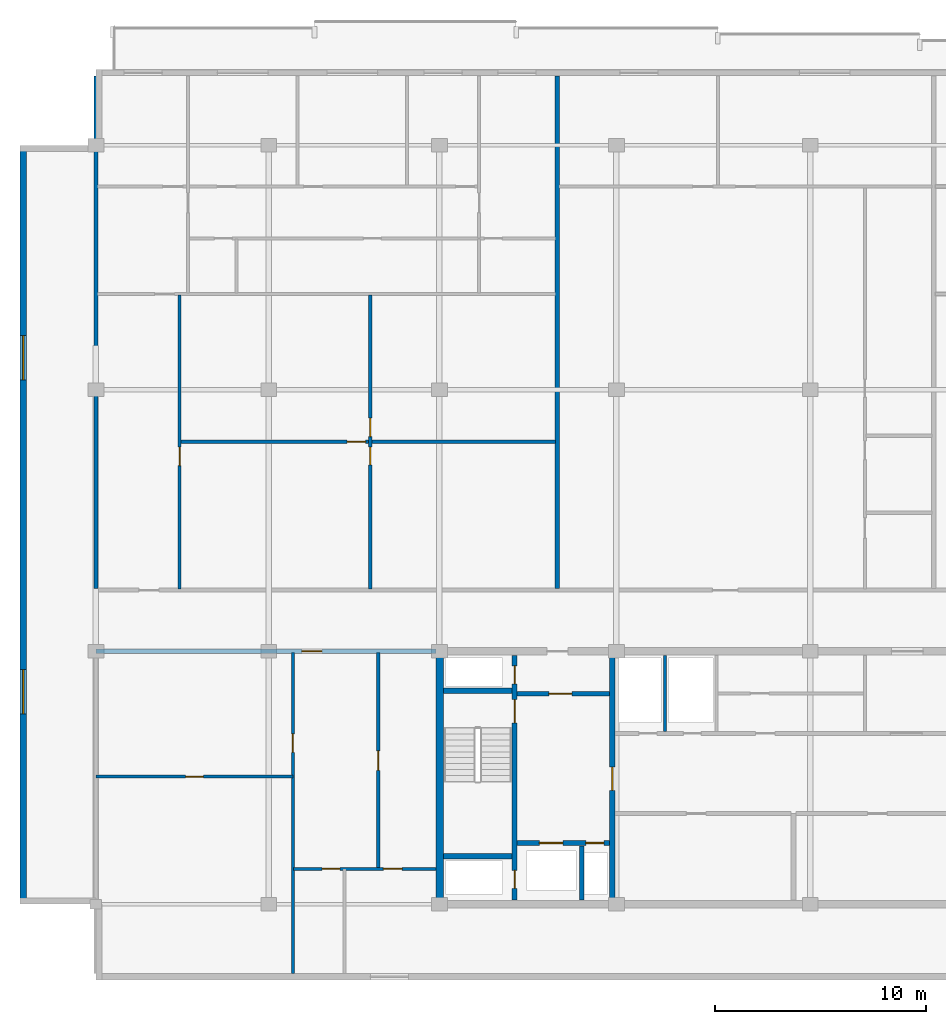
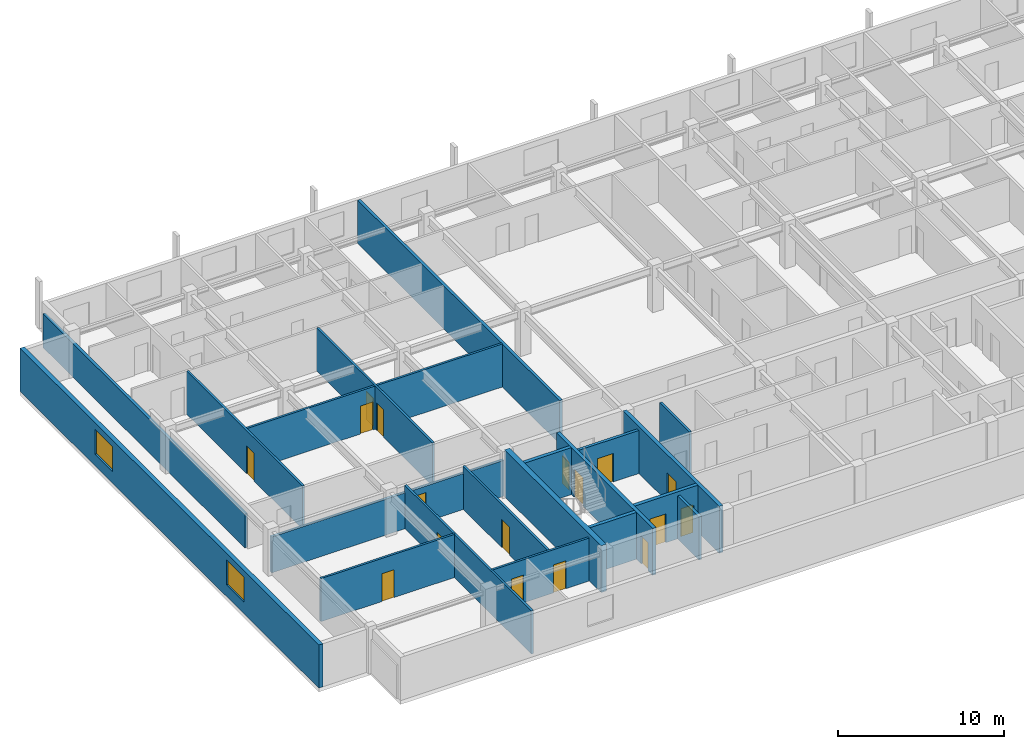
# One storey, part 3 of 10: 20 walls, 17 doors, 2 windows, 19 openings.
"""IFC4 building model written with IfcOpenShell, lengths in metres."""

from ifc_helpers import new_model, si_unit, direction, frame, frame_2d, origin, place, context, subcontext, project, spatial, rectangle, extrude, material, layer, layer_set, type_object, element, fill, save


model = new_model("IFC4")

# Units and contexts
model_context = context("Model", 3, precision=1e-05, world=origin(), true_north=direction((0.0, 1.0)))
body_context = subcontext(model_context, "Body", "Model", "MODEL_VIEW")
ifc_project = project(units=[si_unit("LENGTHUNIT", "METRE"), si_unit("AREAUNIT", "SQUARE_METRE"), si_unit("VOLUMEUNIT", "CUBIC_METRE"), si_unit("PLANEANGLEUNIT", "RADIAN"), si_unit("MASSUNIT", "GRAM", prefix="KILO")], contexts=[model_context])

# Site, building, storey
site_placement = place(None, origin())
site = spatial("IfcSite", under=ifc_project, at=site_placement, CompositionType="ELEMENT")
building_placement = place(site_placement, origin())
building = spatial("IfcBuilding", under=site, at=building_placement, Name="Korimba Cascade Residences", CompositionType="ELEMENT")
storey_placement = place(building_placement, frame((0.0, 0.0, 235.550048828125)))
storey = spatial("IfcBuildingStorey", under=building, at=storey_placement, Name="L68", CompositionType="ELEMENT", Elevation=235.550048828125)

# Wall, openings, windows
ifc_material_1 = material(Name="Precast concrete C40/50", Category="concrete")
ifc_layer_1 = layer(ifc_material_1, 0.300048828125)
ifc_layer_set_1 = layer_set([ifc_layer_1], Name="Precast concrete C40/50")
wall_type_1 = type_object("IfcWallType", Name="EW-STONE-300", PredefinedType="STANDARD", material=ifc_layer_set_1)
wall_1_placement = place(storey_placement, frame((56.35009765625, 91.199951171875, 0.0), z_axis=(0.0, 0.0, 1.0), x_axis=(0.0, -1.0, 0.0)))
wall_1 = element("IfcWall", 1, at=wall_1_placement, inside=storey, type_object=wall_type_1, Name="L68 T1 Perimeter Stone Wall E09", PredefinedType="STANDARD", context=body_context, shape_type="SweptSolid", body=[
    extrude(rectangle(XDim=36.0, YDim=0.300048828125, at=frame_2d((18.0, 0.0))), origin(), (0.0, 0.0, 1.0), 3.169921875),
])
opening_1_placement = place(wall_1_placement, frame((9.030029296875, 0.0, 0.85009765625)))
opening_1 = element("IfcOpeningElement", 2, at=opening_1_placement, cuts=wall_1, Name="Opening W-03", PredefinedType="OPENING", context=body_context, shape_type="SweptSolid", body=[
    extrude(rectangle(XDim=2.10009765625, YDim=1.85009765625, at=frame_2d((1.050048828125, 0.925048828125))), frame((0.0, 0.16015625, 0.0), z_axis=(0.0, -1.0, 0.0), x_axis=(1.0, 0.0, 0.0)), (0.0, 0.0, 1.0), 0.320068359375),
])
opening_2_placement = place(wall_1_placement, frame((24.8701171875, 0.0, 0.85009765625)))
opening_2 = element("IfcOpeningElement", 3, at=opening_2_placement, cuts=wall_1, Name="Opening W-03", PredefinedType="OPENING", context=body_context, shape_type="SweptSolid", body=[
    extrude(rectangle(XDim=2.10009765625, YDim=1.85009765625, at=frame_2d((1.050048828125, 0.925048828125))), frame((0.0, 0.16015625, 0.0), z_axis=(0.0, -1.0, 0.0), x_axis=(1.0, 0.0, 0.0)), (0.0, 0.0, 1.0), 0.320068359375),
])
ifc_material_2 = material(Name="Double-Glazed Aluminium Window", Category="aluminium")
window_type = type_object("IfcWindowType", Name="WIN-CRN-2100", PartitioningType="DOUBLE_PANEL_HORIZONTAL", PredefinedType="WINDOW", material=ifc_material_2)
window_1_placement = place(opening_1_placement, origin())
window_1 = element("IfcWindow", 4, at=window_1_placement, inside=storey, type_object=window_type, Name="L68 T1 End View Window 9.1", OverallHeight=1.85009765625, OverallWidth=2.10009765625, PartitioningType="DOUBLE_PANEL_HORIZONTAL", PredefinedType="WINDOW", context=body_context, shape_type="SweptSolid", body=[
    extrude(rectangle(XDim=2.10009765625, YDim=1.85009765625, at=frame_2d((1.050048828125, 0.925048828125))), frame((0.0, 0.030029296875, 0.0), z_axis=(0.0, -1.0, 0.0), x_axis=(1.0, 0.0, 0.0)), (0.0, 0.0, 1.0), 0.06005859375),
])
fill(opening_1, window_1)
window_2_placement = place(opening_2_placement, origin())
window_2 = element("IfcWindow", 5, at=window_2_placement, inside=storey, type_object=window_type, Name="L68 T1 End View Window 9.2", OverallHeight=1.85009765625, OverallWidth=2.10009765625, PartitioningType="DOUBLE_PANEL_HORIZONTAL", PredefinedType="WINDOW", context=body_context, shape_type="SweptSolid", body=[
    extrude(rectangle(XDim=2.10009765625, YDim=1.85009765625, at=frame_2d((1.050048828125, 0.925048828125))), frame((0.0, 0.030029296875, 0.0), z_axis=(0.0, -1.0, 0.0), x_axis=(1.0, 0.0, 0.0)), (0.0, 0.0, 1.0), 0.06005859375),
])
fill(opening_2, window_2)

# Wall
ifc_material_3 = material(Name="Concrete C65/80", Category="concrete")
ifc_layer_2 = layer(ifc_material_3, 0.35009765625)
ifc_layer_set_2 = layer_set([ifc_layer_2], Name="Concrete C65/80")
wall_type_2 = type_object("IfcWallType", Name="WAL-CORE-350", PredefinedType="SHEAR", material=ifc_layer_set_2)
wall_2_placement = place(storey_placement, frame((76.125, 55.375, 0.0), z_axis=(0.0, 0.0, 1.0), x_axis=(0.0, 1.0, 0.0)))
element("IfcWall", 6, at=wall_2_placement, inside=storey, type_object=wall_type_2, Name="L68 Core Shear Wall CW-L68-T1-W", PredefinedType="SHEAR", context=body_context, shape_type="SweptSolid", body=[
    extrude(rectangle(XDim=11.64990234375, YDim=0.35009765625, at=frame_2d((5.824951171875, 0.0))), origin(), (0.0, 0.0, 1.0), 3.449951171875),
])

# Wall, opening, door
ifc_layer_3 = layer(ifc_material_1, 0.199951171875)
ifc_layer_set_3 = layer_set([ifc_layer_3], Name="Precast concrete C40/50")
wall_type_3 = type_object("IfcWallType", Name="WAL-IT-200", PredefinedType="PARTITIONING", material=ifc_layer_set_3)
wall_3_placement = place(storey_placement, frame((59.800048828125, 67.199951171875, 0.0), z_axis=(0.0, 0.0, 1.0), x_axis=(1.0, 0.0, 0.0)))
wall_3 = element("IfcWall", 7, at=wall_3_placement, inside=storey, type_object=wall_type_3, Name="L68 Partition Wall WAL-L68-T1-FW-N", PredefinedType="PARTITIONING", context=body_context, shape_type="SweptSolid", body=[
    extrude(rectangle(XDim=16.14990234375, YDim=0.199951171875, at=frame_2d((8.074951171875, 0.0))), origin(), (0.0, 0.0, 1.0), 2.63330078125),
])
opening_3_placement = place(wall_3_placement, frame((9.7724609375, 0.0, 0.0)))
opening_3 = element("IfcOpeningElement", 8, at=opening_3_placement, cuts=wall_3, Name="Opening D-UN1", PredefinedType="OPENING", context=body_context, shape_type="SweptSolid", body=[
    extrude(rectangle(XDim=0.949951171875, YDim=2.14990234375, at=frame_2d((0.47509765625, 1.074951171875))), frame((0.0, 0.10986328125, 0.0), z_axis=(0.0, -1.0, 0.0), x_axis=(1.0, 0.0, 0.0)), (0.0, 0.0, 1.0), 0.219970703125),
])
ifc_material_4 = material(Name="Fire-Rated Hardwood Apartment Entrance Door", Category="wood")
door_type_1 = type_object("IfcDoorType", Name="DR-FD60-950", OperationType="NOTDEFINED", PredefinedType="DOOR", material=ifc_material_4)
door_1_placement = place(opening_3_placement, origin())
door_1 = element("IfcDoor", 9, at=door_1_placement, inside=storey, type_object=door_type_1, Name="L68-T1-FW Entrance Door", OperationType="SINGLE_SWING_RIGHT", OverallHeight=2.14990234375, OverallWidth=0.949951171875, PredefinedType="DOOR", context=body_context, shape_type="SweptSolid", body=[
    extrude(rectangle(XDim=0.949951171875, YDim=2.14990234375, at=frame_2d((0.47509765625, 1.074951171875))), frame((0.0, 0.02490234375, 0.0), z_axis=(0.0, -1.0, 0.0), x_axis=(1.0, 0.0, 0.0)), (0.0, 0.0, 1.0), 0.050048828125),
])
fill(opening_3, door_1)

# Walls
wall_4_placement = place(storey_placement, frame((59.800048828125, 70.179931640625, 0.0), z_axis=(0.0, 0.0, 1.0), x_axis=(0.0, 1.0, 0.0)))
element("IfcWall", 10, at=wall_4_placement, inside=storey, type_object=wall_type_3, Name="L68 Partition Wall WAL-L68-T1-BNDWL", PredefinedType="PARTITIONING", context=body_context, shape_type="SweptSolid", body=[
    extrude(rectangle(XDim=24.320068359375, YDim=0.199951171875, at=frame_2d((12.16015625, 0.0))), origin(), (0.0, 0.0, 1.0), 2.47705078125),
])
wall_5_placement = place(storey_placement, frame((81.687255859375, 70.179931640625, 0.0), z_axis=(0.0, 0.0, 1.0), x_axis=(0.0, 1.0, 0.0)))
element("IfcWall", 11, at=wall_5_placement, inside=storey, type_object=wall_type_3, Name="L68 Partition Wall WAL-L68-T1-DEM-1", PredefinedType="PARTITIONING", context=body_context, shape_type="SweptSolid", body=[
    extrude(rectangle(XDim=24.320068359375, YDim=0.199951171875, at=frame_2d((12.16015625, 0.0))), origin(), (0.0, 0.0, 1.0), 3.169921875),
])
ifc_material_5 = material(Name="Insulated Acoustic Stud Partition", Category="gypsum")
ifc_layer_4 = layer(ifc_material_5, 0.14990234375)
ifc_layer_set_4 = layer_set([ifc_layer_4], Name="Insulated Acoustic Stud Partition")
wall_type_4 = type_object("IfcWallType", Name="WAL-PART-150", PredefinedType="PARTITIONING", material=ifc_layer_set_4)
wall_6_placement = place(storey_placement, frame((86.800048828125, 63.39990234375, 0.0), z_axis=(0.0, 0.0, 1.0), x_axis=(0.0, 1.0, 0.0)))
element("IfcWall", 12, at=wall_6_placement, inside=storey, type_object=wall_type_4, Name="L68 Partition Wall CW-L68-T1-ERDIV", PredefinedType="PARTITIONING", context=body_context, shape_type="SweptSolid", body=[
    extrude(rectangle(XDim=3.60009765625, YDim=0.14990234375, at=frame_2d((1.800048828125, 0.0))), origin(), (0.0, 0.0, 1.0), 3.169921875),
])

# Wall, opening, door
wall_7_placement = place(storey_placement, frame((59.800048828125, 61.25, 0.0), z_axis=(0.0, 0.0, 1.0), x_axis=(1.0, 0.0, 0.0)))
wall_7 = element("IfcWall", 13, at=wall_7_placement, inside=storey, type_object=wall_type_4, Name="L68 Partition Wall WAL-L68-T1-FW-STH", PredefinedType="PARTITIONING", context=body_context, shape_type="SweptSolid", body=[
    extrude(rectangle(XDim=9.349853515625, YDim=0.14990234375, at=frame_2d((4.6748046875, 0.0))), origin(), (0.0, 0.0, 1.0), 3.169921875),
])
opening_4_placement = place(wall_7_placement, frame((4.2548828125, 0.0, 0.0)))
opening_4 = element("IfcOpeningElement", 14, at=opening_4_placement, cuts=wall_7, Name="Opening D-BT1", PredefinedType="OPENING", context=body_context, shape_type="SweptSolid", body=[
    extrude(rectangle(XDim=0.840087890625, YDim=2.0400390625, at=frame_2d((0.419921875, 1.02001953125))), frame((0.0, 0.0849609375, 0.0), z_axis=(0.0, -1.0, 0.0), x_axis=(1.0, 0.0, 0.0)), (0.0, 0.0, 1.0), 0.169921875),
])
ifc_material_6 = material(Name="Moisture-Resistant Bathroom Timber Door", Category="wood")
door_type_2 = type_object("IfcDoorType", Name="DR-INT-850", OperationType="NOTDEFINED", PredefinedType="DOOR", material=ifc_material_6)
door_2_placement = place(opening_4_placement, origin())
door_2 = element("IfcDoor", 15, at=door_2_placement, inside=storey, type_object=door_type_2, Name="L68-T1-FW Dressing Store Door", OperationType="SINGLE_SWING_LEFT", OverallHeight=2.0400390625, OverallWidth=0.840087890625, PredefinedType="DOOR", context=body_context, shape_type="SweptSolid", body=[
    extrude(rectangle(XDim=0.840087890625, YDim=2.0400390625, at=frame_2d((0.419921875, 1.02001953125))), frame((0.0, 0.02490234375, 0.0), z_axis=(0.0, -1.0, 0.0), x_axis=(1.0, 0.0, 0.0)), (0.0, 0.0, 1.0), 0.050048828125),
])
fill(opening_4, door_2)

wall_8_placement = place(storey_placement, frame((69.14990234375, 51.89990234375, 0.0), z_axis=(0.0, 0.0, 1.0), x_axis=(0.0, 1.0, 0.0)))
wall_8 = element("IfcWall", 16, at=wall_8_placement, inside=storey, type_object=wall_type_4, Name="L68 Partition Wall WAL-L68-T1-FW-STV", PredefinedType="PARTITIONING", context=body_context, shape_type="SweptSolid", body=[
    extrude(rectangle(XDim=15.25, YDim=0.14990234375, at=frame_2d((7.625, 0.0))), origin(), (0.0, 0.0, 1.0), 3.169921875),
])
opening_5_placement = place(wall_8_placement, frame((10.5, 0.0, 0.0)))
opening_5 = element("IfcOpeningElement", 17, at=opening_5_placement, cuts=wall_8, Name="Opening D-IN2", PredefinedType="OPENING", context=body_context, shape_type="SweptSolid", body=[
    extrude(rectangle(XDim=0.8798828125, YDim=2.06005859375, at=frame_2d((0.43994140625, 1.030029296875))), frame((0.0, 0.0849609375, 0.0), z_axis=(0.0, -1.0, 0.0), x_axis=(1.0, 0.0, 0.0)), (0.0, 0.0, 1.0), 0.169921875),
])
ifc_material_7 = material(Name="Acoustic Timber Bedroom Door", Category="wood")
door_type_3 = type_object("IfcDoorType", Name="DR-INT-880", OperationType="NOTDEFINED", PredefinedType="DOOR", material=ifc_material_7)
door_3_placement = place(opening_5_placement, origin())
door_3 = element("IfcDoor", 18, at=door_3_placement, inside=storey, type_object=door_type_3, Name="L68-T1-FW Study Door", OperationType="SINGLE_SWING_RIGHT", OverallHeight=2.06005859375, OverallWidth=0.8798828125, PredefinedType="DOOR", context=body_context, shape_type="SweptSolid", body=[
    extrude(rectangle(XDim=0.8798828125, YDim=2.06005859375, at=frame_2d((0.43994140625, 1.030029296875))), frame((0.0, 0.02490234375, 0.0), z_axis=(0.0, -1.0, 0.0), x_axis=(1.0, 0.0, 0.0)), (0.0, 0.0, 1.0), 0.050048828125),
])
fill(opening_5, door_3)

wall_9_placement = place(storey_placement, frame((73.199951171875, 56.8701171875, 0.0), z_axis=(0.0, 0.0, 1.0), x_axis=(0.0, 1.0, 0.0)))
wall_9 = element("IfcWall", 19, at=wall_9_placement, inside=storey, type_object=wall_type_4, Name="L68 Partition Wall WAL-L68-T1-FW-VN", PredefinedType="PARTITIONING", context=body_context, shape_type="SweptSolid", body=[
    extrude(rectangle(XDim=10.27978515625, YDim=0.14990234375, at=frame_2d((5.139892578125, 0.0))), origin(), (0.0, 0.0, 1.0), 3.169921875),
])
opening_6_placement = place(wall_9_placement, frame((4.679931640625, 0.0, 0.0)))
opening_6 = element("IfcOpeningElement", 20, at=opening_6_placement, cuts=wall_9, Name="Opening D-IN1", PredefinedType="OPENING", context=body_context, shape_type="SweptSolid", body=[
    extrude(rectangle(XDim=0.919921875, YDim=2.080078125, at=frame_2d((0.4599609375, 1.0400390625))), frame((0.0, 0.0849609375, 0.0), z_axis=(0.0, -1.0, 0.0), x_axis=(1.0, 0.0, 0.0)), (0.0, 0.0, 1.0), 0.169921875),
])
ifc_material_8 = material(Name="Acoustic Timber Living Door", Category="wood")
door_type_4 = type_object("IfcDoorType", Name="DR-INT-920", OperationType="NOTDEFINED", PredefinedType="DOOR", material=ifc_material_8)
door_4_placement = place(opening_6_placement, origin())
door_4 = element("IfcDoor", 21, at=door_4_placement, inside=storey, type_object=door_type_4, Name="L68-T1-FW Living Door", OperationType="SINGLE_SWING_LEFT", OverallHeight=2.080078125, OverallWidth=0.919921875, PredefinedType="DOOR", context=body_context, shape_type="SweptSolid", body=[
    extrude(rectangle(XDim=0.919921875, YDim=2.080078125, at=frame_2d((0.4599609375, 1.0400390625))), frame((0.0, 0.02490234375, 0.0), z_axis=(0.0, -1.0, 0.0), x_axis=(1.0, 0.0, 0.0)), (0.0, 0.0, 1.0), 0.050048828125),
])
fill(opening_6, door_4)

# Wall, openings, doors
wall_10_placement = place(storey_placement, frame((69.169921875, 56.8701171875, 0.0), z_axis=(0.0, 0.0, 1.0), x_axis=(1.0, 0.0, 0.0)))
wall_10 = element("IfcWall", 22, at=wall_10_placement, inside=storey, type_object=wall_type_4, Name="L68 Partition Wall WAL-L68-T1-FW-H", PredefinedType="PARTITIONING", context=body_context, shape_type="SweptSolid", body=[
    extrude(rectangle(XDim=6.760009765625, YDim=0.14990234375, at=frame_2d((3.3798828125, 0.0))), origin(), (0.0, 0.0, 1.0), 3.169921875),
])
opening_7_placement = place(wall_10_placement, frame((1.3623046875, 0.0, 0.0)))
opening_7 = element("IfcOpeningElement", 23, at=opening_7_placement, cuts=wall_10, Name="Opening D-BT1", PredefinedType="OPENING", context=body_context, shape_type="SweptSolid", body=[
    extrude(rectangle(XDim=0.840087890625, YDim=2.0400390625, at=frame_2d((0.419921875, 1.02001953125))), frame((0.0, 0.0849609375, 0.0), z_axis=(0.0, -1.0, 0.0), x_axis=(1.0, 0.0, 0.0)), (0.0, 0.0, 1.0), 0.169921875),
])
opening_8_placement = place(wall_10_placement, frame((4.276611328125, 0.0, 0.0)))
opening_8 = element("IfcOpeningElement", 24, at=opening_8_placement, cuts=wall_10, Name="Opening D-IN2", PredefinedType="OPENING", context=body_context, shape_type="SweptSolid", body=[
    extrude(rectangle(XDim=0.8798828125, YDim=2.06005859375, at=frame_2d((0.43994140625, 1.030029296875))), frame((0.0, 0.0849609375, 0.0), z_axis=(0.0, -1.0, 0.0), x_axis=(1.0, 0.0, 0.0)), (0.0, 0.0, 1.0), 0.169921875),
])
door_5_placement = place(opening_7_placement, origin())
door_5 = element("IfcDoor", 25, at=door_5_placement, inside=storey, type_object=door_type_2, Name="L68-T1-FW Bathroom Door", OperationType="SINGLE_SWING_RIGHT", OverallHeight=2.0400390625, OverallWidth=0.840087890625, PredefinedType="DOOR", context=body_context, shape_type="SweptSolid", body=[
    extrude(rectangle(XDim=0.840087890625, YDim=2.0400390625, at=frame_2d((0.419921875, 1.02001953125))), frame((0.0, 0.02490234375, 0.0), z_axis=(0.0, -1.0, 0.0), x_axis=(1.0, 0.0, 0.0)), (0.0, 0.0, 1.0), 0.050048828125),
])
fill(opening_7, door_5)
door_6_placement = place(opening_8_placement, origin())
door_6 = element("IfcDoor", 26, at=door_6_placement, inside=storey, type_object=door_type_3, Name="L68-T1-FW Bedroom Door", OperationType="SINGLE_SWING_LEFT", OverallHeight=2.06005859375, OverallWidth=0.8798828125, PredefinedType="DOOR", context=body_context, shape_type="SweptSolid", body=[
    extrude(rectangle(XDim=0.8798828125, YDim=2.06005859375, at=frame_2d((0.43994140625, 1.030029296875))), frame((0.0, 0.02490234375, 0.0), z_axis=(0.0, -1.0, 0.0), x_axis=(1.0, 0.0, 0.0)), (0.0, 0.0, 1.0), 0.050048828125),
])
fill(opening_8, door_6)

wall_11_placement = place(storey_placement, frame((72.818603515625, 70.159912109375, 0.0), z_axis=(0.0, 0.0, 1.0), x_axis=(0.0, 1.0, 0.0)))
wall_11 = element("IfcWall", 27, at=wall_11_placement, inside=storey, type_object=wall_type_4, Name="L68 Partition Wall WAL-L68-T1-U01-FMV", PredefinedType="PARTITIONING", context=body_context, shape_type="SweptSolid", body=[
    extrude(rectangle(XDim=13.9501953125, YDim=0.14990234375, at=frame_2d((6.97509765625, 0.0))), origin(), (0.0, 0.0, 1.0), 3.169921875),
])
opening_9_placement = place(wall_11_placement, frame((5.885009765625, 0.0, 0.0)))
opening_9 = element("IfcOpeningElement", 28, at=opening_9_placement, cuts=wall_11, Name="Opening D-BT1", PredefinedType="OPENING", context=body_context, shape_type="SweptSolid", body=[
    extrude(rectangle(XDim=0.840087890625, YDim=2.0400390625, at=frame_2d((0.419921875, 1.02001953125))), frame((0.0, 0.0849609375, 0.0), z_axis=(0.0, -1.0, 0.0), x_axis=(1.0, 0.0, 0.0)), (0.0, 0.0, 1.0), 0.169921875),
])
opening_10_placement = place(wall_11_placement, frame((7.22509765625, 0.0, 0.0)))
opening_10 = element("IfcOpeningElement", 29, at=opening_10_placement, cuts=wall_11, Name="Opening D-IN2", PredefinedType="OPENING", context=body_context, shape_type="SweptSolid", body=[
    extrude(rectangle(XDim=0.8798828125, YDim=2.06005859375, at=frame_2d((0.43994140625, 1.030029296875))), frame((0.0, 0.0849609375, 0.0), z_axis=(0.0, -1.0, 0.0), x_axis=(1.0, 0.0, 0.0)), (0.0, 0.0, 1.0), 0.169921875),
])
door_7_placement = place(opening_9_placement, origin())
door_7 = element("IfcDoor", 30, at=door_7_placement, inside=storey, type_object=door_type_2, Name="L68-T1-U01 Wardrobe Door", OperationType="SINGLE_SWING_LEFT", OverallHeight=2.0400390625, OverallWidth=0.840087890625, PredefinedType="DOOR", context=body_context, shape_type="SweptSolid", body=[
    extrude(rectangle(XDim=0.840087890625, YDim=2.0400390625, at=frame_2d((0.419921875, 1.02001953125))), frame((0.0, 0.02490234375, 0.0), z_axis=(0.0, -1.0, 0.0), x_axis=(1.0, 0.0, 0.0)), (0.0, 0.0, 1.0), 0.050048828125),
])
fill(opening_9, door_7)
door_8_placement = place(opening_10_placement, origin())
door_8 = element("IfcDoor", 31, at=door_8_placement, inside=storey, type_object=door_type_3, Name="L68-T1-U01 Music Lounge Door", OperationType="SINGLE_SWING_RIGHT", OverallHeight=2.06005859375, OverallWidth=0.8798828125, PredefinedType="DOOR", context=body_context, shape_type="SweptSolid", body=[
    extrude(rectangle(XDim=0.8798828125, YDim=2.06005859375, at=frame_2d((0.43994140625, 1.030029296875))), frame((0.0, 0.02490234375, 0.0), z_axis=(0.0, -1.0, 0.0), x_axis=(1.0, 0.0, 0.0)), (0.0, 0.0, 1.0), 0.050048828125),
])
fill(opening_10, door_8)

# Wall, opening, door
wall_12_placement = place(storey_placement, frame((63.830078125, 77.135009765625, 0.0), z_axis=(0.0, 0.0, 1.0), x_axis=(1.0, 0.0, 0.0)))
wall_12 = element("IfcWall", 32, at=wall_12_placement, inside=storey, type_object=wall_type_4, Name="L68 Partition Wall WAL-L68-T1-U01-FMH", PredefinedType="PARTITIONING", context=body_context, shape_type="SweptSolid", body=[
    extrude(rectangle(XDim=17.77734375, YDim=0.14990234375, at=frame_2d((8.888671875, 0.0))), origin(), (0.0, 0.0, 1.0), 3.169921875),
])
opening_11_placement = place(wall_12_placement, frame((7.888671875, 0.0, 0.0)))
opening_11 = element("IfcOpeningElement", 33, at=opening_11_placement, cuts=wall_12, Name="Opening D-IN2", PredefinedType="OPENING", context=body_context, shape_type="SweptSolid", body=[
    extrude(rectangle(XDim=0.8798828125, YDim=2.06005859375, at=frame_2d((0.43994140625, 1.030029296875))), frame((0.0, 0.0849609375, 0.0), z_axis=(0.0, -1.0, 0.0), x_axis=(1.0, 0.0, 0.0)), (0.0, 0.0, 1.0), 0.169921875),
])
door_9_placement = place(opening_11_placement, origin())
door_9 = element("IfcDoor", 34, at=door_9_placement, inside=storey, type_object=door_type_3, Name="L68-T1-U01 Library Salon Door", OperationType="SINGLE_SWING_LEFT", OverallHeight=2.06005859375, OverallWidth=0.8798828125, PredefinedType="DOOR", context=body_context, shape_type="SweptSolid", body=[
    extrude(rectangle(XDim=0.8798828125, YDim=2.06005859375, at=frame_2d((0.43994140625, 1.030029296875))), frame((0.0, 0.02490234375, 0.0), z_axis=(0.0, -1.0, 0.0), x_axis=(1.0, 0.0, 0.0)), (0.0, 0.0, 1.0), 0.050048828125),
])
fill(opening_11, door_9)

wall_13_placement = place(storey_placement, frame((63.77001953125, 70.159912109375, 0.0), z_axis=(0.0, 0.0, 1.0), x_axis=(0.0, 1.0, 0.0)))
wall_13 = element("IfcWall", 35, at=wall_13_placement, inside=storey, type_object=wall_type_4, Name="L68 Partition Wall WAL-L68-T1-U01-FV", PredefinedType="PARTITIONING", context=body_context, shape_type="SweptSolid", body=[
    extrude(rectangle(XDim=13.9501953125, YDim=0.14990234375, at=frame_2d((6.97509765625, 0.0))), origin(), (0.0, 0.0, 1.0), 3.169921875),
])
opening_12_placement = place(wall_13_placement, frame((5.844970703125, 0.0, 0.0)))
opening_12 = element("IfcOpeningElement", 36, at=opening_12_placement, cuts=wall_13, Name="Opening D-IN2", PredefinedType="OPENING", context=body_context, shape_type="SweptSolid", body=[
    extrude(rectangle(XDim=0.8798828125, YDim=2.06005859375, at=frame_2d((0.43994140625, 1.030029296875))), frame((0.0, 0.0849609375, 0.0), z_axis=(0.0, -1.0, 0.0), x_axis=(1.0, 0.0, 0.0)), (0.0, 0.0, 1.0), 0.169921875),
])
door_10_placement = place(opening_12_placement, origin())
door_10 = element("IfcDoor", 37, at=door_10_placement, inside=storey, type_object=door_type_3, Name="L68-T1-U01 Media Lounge Door", OperationType="SINGLE_SWING_RIGHT", OverallHeight=2.06005859375, OverallWidth=0.8798828125, PredefinedType="DOOR", context=body_context, shape_type="SweptSolid", body=[
    extrude(rectangle(XDim=0.8798828125, YDim=2.06005859375, at=frame_2d((0.43994140625, 1.030029296875))), frame((0.0, 0.02490234375, 0.0), z_axis=(0.0, -1.0, 0.0), x_axis=(1.0, 0.0, 0.0)), (0.0, 0.0, 1.0), 0.050048828125),
])
fill(opening_12, door_10)

# Wall
ifc_material_9 = material(Name="Concrete C40/50", Category="concrete")
ifc_layer_5 = layer(ifc_material_9, 0.199951171875)
ifc_layer_set_5 = layer_set([ifc_layer_5], Name="Concrete C40/50")
wall_type_5 = type_object("IfcWallType", Name="WAL-PART-200", PredefinedType="PARTITIONING", material=ifc_layer_set_5)
wall_14_placement = place(storey_placement, frame((82.85009765625, 55.39990234375, 0.0), z_axis=(0.0, 0.0, 1.0), x_axis=(0.0, 1.0, 0.0)))
element("IfcWall", 38, at=wall_14_placement, inside=storey, type_object=wall_type_5, Name="L68 Partition Wall CW-L68-T1-FFLDIV", PredefinedType="PARTITIONING", context=body_context, shape_type="SweptSolid", body=[
    extrude(rectangle(XDim=2.56005859375, YDim=0.199951171875, at=frame_2d((1.280029296875, 0.0))), origin(), (0.0, 0.0, 1.0), 3.169921875),
])

# Wall, opening, door
wall_15_placement = place(storey_placement, frame((79.7900390625, 65.179931640625, 0.0), z_axis=(0.0, 0.0, 1.0), x_axis=(1.0, 0.0, 0.0)))
wall_15 = element("IfcWall", 39, at=wall_15_placement, inside=storey, type_object=wall_type_5, Name="L68 Partition Wall CW-L68-T1-FFLN", PredefinedType="PARTITIONING", context=body_context, shape_type="SweptSolid", body=[
    extrude(rectangle(XDim=4.389892578125, YDim=0.199951171875, at=frame_2d((2.19482421875, 0.0))), origin(), (0.0, 0.0, 1.0), 3.169921875),
])
opening_13_placement = place(wall_15_placement, frame((1.5, 0.0, 0.0)))
opening_13 = element("IfcOpeningElement", 40, at=opening_13_placement, cuts=wall_15, Name="Opening D-FD1", PredefinedType="OPENING", context=body_context, shape_type="SweptSolid", body=[
    extrude(rectangle(XDim=1.10009765625, YDim=2.10009765625, at=frame_2d((0.550048828125, 1.050048828125))), frame((0.0, 0.10986328125, 0.0), z_axis=(0.0, -1.0, 0.0), x_axis=(1.0, 0.0, 0.0)), (0.0, 0.0, 1.0), 0.219970703125),
])
ifc_material_10 = material(Name="Fire-Rated Steel Core Door", Category="steel")
door_type_5 = type_object("IfcDoorType", Name="DR-FD120-1100", OperationType="NOTDEFINED", PredefinedType="DOOR", material=ifc_material_10)
door_11_placement = place(opening_13_placement, origin())
door_11 = element("IfcDoor", 41, at=door_11_placement, inside=storey, type_object=door_type_5, Name="L68 West Firefighting Lobby Door", OperationType="SINGLE_SWING_RIGHT", OverallHeight=2.10009765625, OverallWidth=1.10009765625, PredefinedType="DOOR", context=body_context, shape_type="SweptSolid", body=[
    extrude(rectangle(XDim=1.10009765625, YDim=2.10009765625, at=frame_2d((0.550048828125, 1.050048828125))), frame((0.0, 0.02490234375, 0.0), z_axis=(0.0, -1.0, 0.0), x_axis=(1.0, 0.0, 0.0)), (0.0, 0.0, 1.0), 0.050048828125),
])
fill(opening_13, door_11)

# Wall, openings, doors
ifc_material_11 = material(Name="Concrete C50/60", Category="concrete")
ifc_layer_6 = layer(ifc_material_11, 0.25)
ifc_layer_set_6 = layer_set([ifc_layer_6], Name="Concrete C50/60")
wall_type_6 = type_object("IfcWallType", Name="WAL-SHAFT-250", PredefinedType="SHEAR", material=ifc_layer_set_6)
wall_16_placement = place(storey_placement, frame((79.6650390625, 55.39990234375, 0.0), z_axis=(0.0, 0.0, 1.0), x_axis=(0.0, 1.0, 0.0)))
wall_16 = element("IfcWall", 42, at=wall_16_placement, inside=storey, type_object=wall_type_6, Name="L68 Core Shear Wall CW-L68-T1-STW1E", PredefinedType="SHEAR", context=body_context, shape_type="SweptSolid", body=[
    extrude(rectangle(XDim=11.60009765625, YDim=0.25, at=frame_2d((5.800048828125, 0.0))), origin(), (0.0, 0.0, 1.0), 3.449951171875),
])
opening_14_placement = place(wall_16_placement, frame((0.550048828125, 0.0, 0.0)))
opening_14 = element("IfcOpeningElement", 43, at=opening_14_placement, cuts=wall_16, Name="Opening D-RS1", PredefinedType="OPENING", context=body_context, shape_type="SweptSolid", body=[
    extrude(rectangle(XDim=0.85009765625, YDim=2.050048828125, at=frame_2d((0.425048828125, 1.02490234375))), frame((0.0, 0.135009765625, 0.0), z_axis=(0.0, -1.0, 0.0), x_axis=(1.0, 0.0, 0.0)), (0.0, 0.0, 1.0), 0.27001953125),
])
opening_15_placement = place(wall_16_placement, frame((8.39990234375, 0.0, 0.0)))
opening_15 = element("IfcOpeningElement", 44, at=opening_15_placement, cuts=wall_16, Name="Opening D-FD1", PredefinedType="OPENING", context=body_context, shape_type="SweptSolid", body=[
    extrude(rectangle(XDim=1.10009765625, YDim=2.10009765625, at=frame_2d((0.550048828125, 1.050048828125))), frame((0.0, 0.135009765625, 0.0), z_axis=(0.0, -1.0, 0.0), x_axis=(1.0, 0.0, 0.0)), (0.0, 0.0, 1.0), 0.27001953125),
])
opening_16_placement = place(wall_16_placement, frame((10.25, 0.0, 0.0)))
opening_16 = element("IfcOpeningElement", 45, at=opening_16_placement, cuts=wall_16, Name="Opening D-RS1", PredefinedType="OPENING", context=body_context, shape_type="SweptSolid", body=[
    extrude(rectangle(XDim=0.85009765625, YDim=2.050048828125, at=frame_2d((0.425048828125, 1.02490234375))), frame((0.0, 0.135009765625, 0.0), z_axis=(0.0, -1.0, 0.0), x_axis=(1.0, 0.0, 0.0)), (0.0, 0.0, 1.0), 0.27001953125),
])
door_12_placement = place(opening_15_placement, origin())
door_12 = element("IfcDoor", 46, at=door_12_placement, inside=storey, type_object=door_type_5, Name="L68 Fire Stair ST-W1 Door", OperationType="SINGLE_SWING_LEFT", OverallHeight=2.10009765625, OverallWidth=1.10009765625, PredefinedType="DOOR", context=body_context, shape_type="SweptSolid", body=[
    extrude(rectangle(XDim=1.10009765625, YDim=2.10009765625, at=frame_2d((0.550048828125, 1.050048828125))), frame((0.0, 0.02490234375, 0.0), z_axis=(0.0, -1.0, 0.0), x_axis=(1.0, 0.0, 0.0)), (0.0, 0.0, 1.0), 0.050048828125),
])
fill(opening_15, door_12)
ifc_material_12 = material(Name="Fire-Rated Steel Riser Access Door", Category="steel")
door_type_6 = type_object("IfcDoorType", Name="DR-FD60-850", OperationType="NOTDEFINED", PredefinedType="DOOR", material=ifc_material_12)
door_13_placement = place(opening_14_placement, origin())
door_13 = element("IfcDoor", 47, at=door_13_placement, inside=storey, type_object=door_type_6, Name="L68 Smoke Riser Access Door", OperationType="SINGLE_SWING_RIGHT", OverallHeight=2.050048828125, OverallWidth=0.85009765625, PredefinedType="DOOR", context=body_context, shape_type="SweptSolid", body=[
    extrude(rectangle(XDim=0.85009765625, YDim=2.050048828125, at=frame_2d((0.425048828125, 1.02490234375))), frame((0.0, 0.02490234375, 0.0), z_axis=(0.0, -1.0, 0.0), x_axis=(1.0, 0.0, 0.0)), (0.0, 0.0, 1.0), 0.050048828125),
])
fill(opening_14, door_13)
door_14_placement = place(opening_16_placement, origin())
door_14 = element("IfcDoor", 48, at=door_14_placement, inside=storey, type_object=door_type_6, Name="L68 Hydrant Riser Access Door", OperationType="SINGLE_SWING_RIGHT", OverallHeight=2.050048828125, OverallWidth=0.85009765625, PredefinedType="DOOR", context=body_context, shape_type="SweptSolid", body=[
    extrude(rectangle(XDim=0.85009765625, YDim=2.050048828125, at=frame_2d((0.425048828125, 1.02490234375))), frame((0.0, 0.02490234375, 0.0), z_axis=(0.0, -1.0, 0.0), x_axis=(1.0, 0.0, 0.0)), (0.0, 0.0, 1.0), 0.050048828125),
])
fill(opening_16, door_14)

# Walls
for number, where, z_axis, x_axis, name in (
    (49, (76.300048828125, 57.47509765625, 0.0), (0.0, 0.0, 1.0), (1.0, 0.0, 0.0), "L68 Core Shear Wall CW-L68-T1-STW1S"),
    (50, (76.300048828125, 65.324951171875, 0.0), (0.0, 0.0, 1.0), (1.0, 0.0, 0.0), "L68 Core Shear Wall CW-L68-T1-STW1N"),
):
    element("IfcWall", number, at=place(storey_placement, frame(where, z_axis=z_axis, x_axis=x_axis)), inside=storey, type_object=wall_type_6, Name=name, PredefinedType="SHEAR", context=body_context, shape_type="SweptSolid", body=[
        extrude(rectangle(XDim=3.239990234375, YDim=0.25, at=frame_2d((1.6201171875, 0.0))), origin(), (0.0, 0.0, 1.0), 3.449951171875),
    ])

# Wall, openings, doors
wall_17_placement = place(storey_placement, frame((79.7900390625, 58.10009765625, 0.0), z_axis=(0.0, 0.0, 1.0), x_axis=(1.0, 0.0, 0.0)))
wall_17 = element("IfcWall", 51, at=wall_17_placement, inside=storey, type_object=wall_type_6, Name="L68 Core Shear Wall CW-L68-T1-FFLS", PredefinedType="SHEAR", context=body_context, shape_type="SweptSolid", body=[
    extrude(rectangle(XDim=4.389892578125, YDim=0.25, at=frame_2d((2.19482421875, 0.0))), origin(), (0.0, 0.0, 1.0), 3.449951171875),
])
opening_17_placement = place(wall_17_placement, frame((1.050048828125, 0.0, 0.0)))
opening_17 = element("IfcOpeningElement", 52, at=opening_17_placement, cuts=wall_17, Name="Opening LD-01", PredefinedType="OPENING", context=body_context, shape_type="SweptSolid", body=[
    extrude(rectangle(XDim=1.1201171875, YDim=2.1201171875, at=frame_2d((0.56005859375, 1.06005859375))), frame((0.0, 0.135009765625, 0.0), z_axis=(0.0, -1.0, 0.0), x_axis=(1.0, 0.0, 0.0)), (0.0, 0.0, 1.0), 0.27001953125),
])
opening_18_placement = place(wall_17_placement, frame((3.260009765625, 0.0, 0.0)))
opening_18 = element("IfcOpeningElement", 53, at=opening_18_placement, cuts=wall_17, Name="Opening D-RS1", PredefinedType="OPENING", context=body_context, shape_type="SweptSolid", body=[
    extrude(rectangle(XDim=0.85009765625, YDim=2.050048828125, at=frame_2d((0.425048828125, 1.02490234375))), frame((0.0, 0.135009765625, 0.0), z_axis=(0.0, -1.0, 0.0), x_axis=(1.0, 0.0, 0.0)), (0.0, 0.0, 1.0), 0.27001953125),
])
door_15_placement = place(opening_18_placement, origin())
door_15 = element("IfcDoor", 54, at=door_15_placement, inside=storey, type_object=door_type_6, Name="L68 Pressurisation Riser Door", OperationType="SINGLE_SWING_LEFT", OverallHeight=2.050048828125, OverallWidth=0.85009765625, PredefinedType="DOOR", context=body_context, shape_type="SweptSolid", body=[
    extrude(rectangle(XDim=0.85009765625, YDim=2.050048828125, at=frame_2d((0.425048828125, 1.02490234375))), frame((0.0, 0.02490234375, 0.0), z_axis=(0.0, -1.0, 0.0), x_axis=(1.0, 0.0, 0.0)), (0.0, 0.0, 1.0), 0.050048828125),
])
fill(opening_18, door_15)
ifc_material_13 = material(Name="Stainless Steel Lift Landing Sliding Door", Category="steel")
door_type_7 = type_object("IfcDoorType", Name="DR-LIFT-1100", OperationType="NOTDEFINED", PredefinedType="DOOR", material=ifc_material_13)
door_16_placement = place(opening_17_placement, origin())
door_16 = element("IfcDoor", 55, at=door_16_placement, inside=storey, type_object=door_type_7, Name="L68 Firefighting Lift Landing Door FFL-W1", OperationType="SLIDING_TO_LEFT", OverallHeight=2.1201171875, OverallWidth=1.1201171875, PredefinedType="DOOR", context=body_context, shape_type="SweptSolid", body=[
    extrude(rectangle(XDim=1.1201171875, YDim=2.1201171875, at=frame_2d((0.56005859375, 1.06005859375))), frame((0.0, 0.02490234375, 0.0), z_axis=(0.0, -1.0, 0.0), x_axis=(1.0, 0.0, 0.0)), (0.0, 0.0, 1.0), 0.050048828125),
])
fill(opening_17, door_16)

# Wall, opening, door
wall_18_placement = place(storey_placement, frame((84.300048828125, 55.39990234375, 0.0), z_axis=(0.0, 0.0, 1.0), x_axis=(0.0, 1.0, 0.0)))
wall_18 = element("IfcWall", 56, at=wall_18_placement, inside=storey, type_object=wall_type_6, Name="L68 Core Shear Wall CW-L68-T1-FFLE", PredefinedType="SHEAR", context=body_context, shape_type="SweptSolid", body=[
    extrude(rectangle(XDim=11.60009765625, YDim=0.25, at=frame_2d((5.800048828125, 0.0))), origin(), (0.0, 0.0, 1.0), 3.449951171875),
])
opening_19_placement = place(wall_18_placement, frame((5.199951171875, 0.0, 0.0)))
opening_19 = element("IfcOpeningElement", 57, at=opening_19_placement, cuts=wall_18, Name="Opening D-FD1", PredefinedType="OPENING", context=body_context, shape_type="SweptSolid", body=[
    extrude(rectangle(XDim=1.10009765625, YDim=2.10009765625, at=frame_2d((0.550048828125, 1.050048828125))), frame((0.0, 0.135009765625, 0.0), z_axis=(0.0, -1.0, 0.0), x_axis=(1.0, 0.0, 0.0)), (0.0, 0.0, 1.0), 0.27001953125),
])
door_17_placement = place(opening_19_placement, origin())
door_17 = element("IfcDoor", 58, at=door_17_placement, inside=storey, type_object=door_type_5, Name="L68 Firefighting Lobby to Lift Lobby Door", OperationType="SINGLE_SWING_LEFT", OverallHeight=2.10009765625, OverallWidth=1.10009765625, PredefinedType="DOOR", context=body_context, shape_type="SweptSolid", body=[
    extrude(rectangle(XDim=1.10009765625, YDim=2.10009765625, at=frame_2d((0.550048828125, 1.050048828125))), frame((0.0, 0.02490234375, 0.0), z_axis=(0.0, -1.0, 0.0), x_axis=(1.0, 0.0, 0.0)), (0.0, 0.0, 1.0), 0.050048828125),
])
fill(opening_19, door_17)

save(model, "model.ifc")
